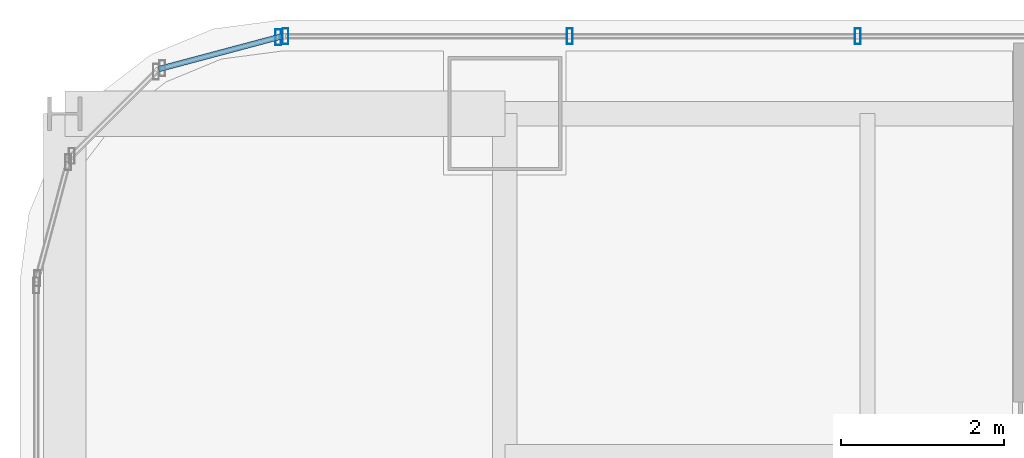
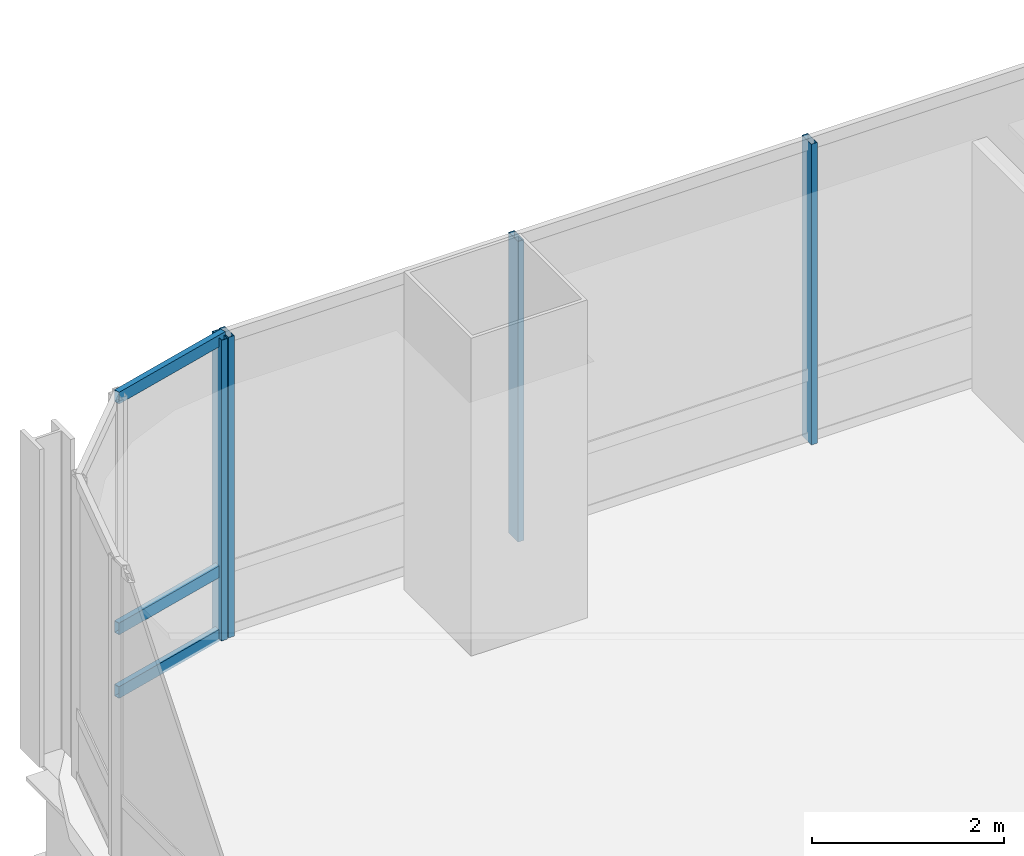
# One storey, part 20 of 37: 7 members, 2 elements without a shape of their own.
"""IFC4 building model written with IfcOpenShell, lengths in metres."""

import ifcopenshell
import ifcopenshell.guid

model = None  # the IFC model being written
_history = None  # IfcOwnerHistory: only IFC2X3 demands one
_inside = {}  # id of a spatial element -> (the spatial element, [elements in it])
_under = {}  # id of a project, library or spatial element -> (it, [spatial elements below it])
_declared = {}  # id of a project -> (the project, [libraries it declares])
_typed = {}  # id of a type object -> (the type object, [elements of that type])
_made_of = {}  # id of a material, layer set ... -> (it, [elements and type objects made of it])


def new_model(schema):
    """Start an empty IFC model of exactly this schema.

    Asked for "IFC4X3", IfcOpenShell would pick the latest addendum, in which some entities
    have other attributes; the version numbers below select the first issue.
    IFC2X3 requires an IfcOwnerHistory on every rooted entity: one is made here for all.
    """
    global model, _history
    if schema == "IFC4X3":
        model = ifcopenshell.file(schema_version=(4, 3, 0, 0))
    else:
        model = ifcopenshell.file(schema=schema)
    _inside.clear()
    _under.clear()
    _declared.clear()
    _typed.clear()
    _made_of.clear()
    _history = None
    if model.schema == "IFC2X3":
        org = make("IfcOrganization", Name="unknown")
        user = make(
            "IfcPersonAndOrganization",
            ThePerson=make("IfcPerson", FamilyName="unknown"),
            TheOrganization=org,
        )
        app = make(
            "IfcApplication",
            ApplicationDeveloper=org,
            Version="unknown",
            ApplicationFullName="unknown",
            ApplicationIdentifier="unknown",
        )
        _history = make(
            "IfcOwnerHistory",
            OwningUser=user,
            OwningApplication=app,
            ChangeAction="ADDED",
            CreationDate=0,
        )
    return model


def make(cls, **values):
    """One entity of the class cls with the attributes given. An attribute that is None is left unset."""
    return model.create_entity(
        cls, **{name: value for name, value in values.items() if value is not None}
    )


def rooted(cls, **values):
    """An entity with a GlobalId (a new one), such as an element, a storey or a relation."""
    return make(cls, GlobalId=ifcopenshell.guid.new(), OwnerHistory=_history, **values)


def si_unit(unit_type, name, prefix=None):
    """IfcSIUnit, for example si_unit("LENGTHUNIT", "METRE", prefix="MILLI")."""
    return make("IfcSIUnit", UnitType=unit_type, Prefix=prefix, Name=name)


def assignment(units):
    """IfcUnitAssignment: the units of a project."""
    return None if units is None else make("IfcUnitAssignment", Units=units)


def point(xyz):
    """IfcCartesianPoint."""
    return None if xyz is None else make("IfcCartesianPoint", Coordinates=xyz)


def direction(xyz):
    """IfcDirection."""
    return None if xyz is None else make("IfcDirection", DirectionRatios=xyz)


def frame(location, z_axis=None, x_axis=None):
    """IfcAxis2Placement3D, a coordinate frame: its origin and axes. An axis left out is left unset."""
    return make(
        "IfcAxis2Placement3D",
        Location=point(location),
        Axis=direction(z_axis),
        RefDirection=direction(x_axis),
    )


def frame_2d(location, x_axis=None):
    """IfcAxis2Placement2D, a coordinate frame in the plane: its origin and x axis."""
    return make(
        "IfcAxis2Placement2D", Location=point(location), RefDirection=direction(x_axis)
    )


def origin():
    """The frame at (0, 0, 0) with its axes left unset."""
    return frame((0.0, 0.0, 0.0))


def origin_2d():
    """The frame at (0, 0) in the plane with its x axis left unset."""
    return frame_2d((0.0, 0.0))


def place(relative_to, where):
    """IfcLocalPlacement: puts the frame where relative to a parent placement (None: the world)."""
    return make(
        "IfcLocalPlacement", PlacementRelTo=relative_to, RelativePlacement=where
    )


def context(
    kind, dimensions, precision=None, world=None, true_north=None, identifier=None
):
    """IfcGeometricRepresentationContext, for example the 3D "Model" context."""
    return make(
        "IfcGeometricRepresentationContext",
        ContextIdentifier=identifier,
        ContextType=kind,
        CoordinateSpaceDimension=dimensions,
        Precision=precision,
        WorldCoordinateSystem=world,
        TrueNorth=true_north,
    )


def subcontext(parent, identifier, kind, view, scale=None):
    """IfcGeometricRepresentationSubContext, for example "Body" below "Model"."""
    return make(
        "IfcGeometricRepresentationSubContext",
        ContextIdentifier=identifier,
        ContextType=kind,
        ParentContext=parent,
        TargetScale=scale,
        TargetView=view,
    )


def project(units=None, contexts=None):
    """IfcProject with its units and contexts."""
    return rooted(
        "IfcProject",
        Name="project",
        RepresentationContexts=contexts,
        UnitsInContext=assignment(units),
    )


def spatial(cls, under=None, at=None, **own):
    """A site, building, storey or space (cls), placed at a placement, below another one or the project."""
    s = rooted(cls, ObjectPlacement=at, **own)
    if under is not None:
        _under.setdefault(under.id(), (under, []))[1].append(s)
    return s


def profile(cls, at=None, kind="AREA", **sizes):
    """A parametric profile (cls). Its sizes go by their IFC names, for example OverallWidth=200.0."""
    return make(cls, ProfileType=kind, Position=at, **sizes)


def hollow_rectangle(**sizes):
    """IfcRectangleHollowProfileDef."""
    return profile("IfcRectangleHollowProfileDef", **sizes)


def extrude(swept, where, along, depth):
    """IfcExtrudedAreaSolid: the profile swept, set in the frame where, extruded along a direction by depth."""
    return make(
        "IfcExtrudedAreaSolid",
        SweptArea=swept,
        Position=where,
        ExtrudedDirection=direction(along),
        Depth=depth,
    )


def shape(context_of_items, identifier, shape_type, items):
    """IfcShapeRepresentation: the items that make up one representation, for example the "Body"."""
    return make(
        "IfcShapeRepresentation",
        ContextOfItems=context_of_items,
        RepresentationIdentifier=identifier,
        RepresentationType=shape_type,
        Items=items,
    )


def material(Name=None, Category=None):
    """IfcMaterial."""
    return make("IfcMaterial", Name=Name, Category=Category)


def material_profile(
    of_material, cross_section, Name=None, Category=None, Priority=None
):
    """IfcMaterialProfile: a cross section and its material."""
    return make(
        "IfcMaterialProfile",
        Name=Name,
        Material=of_material,
        Profile=cross_section,
        Priority=Priority,
        Category=Category,
    )


def profile_set(profiles, Name=None, composite=None):
    """IfcMaterialProfileSet."""
    return make(
        "IfcMaterialProfileSet",
        Name=Name,
        MaterialProfiles=profiles,
        CompositeProfile=composite,
    )


def made_of(thing, what):
    """Note that an element or type object is made of a material, layer set ...; save() writes the relation."""
    if what is not None:
        _made_of.setdefault(what.id(), (what, []))[1].append(thing)
    return thing


def type_object(cls, material=None, **own):
    """A type object (cls), such as IfcWallType, which elements share."""
    return made_of(rooted(cls, **own), material)


def element(
    cls,
    number,
    at=None,
    inside=None,
    cuts=None,
    type_object=None,
    material=None,
    context=None,
    identifier="Body",
    shape_type=None,
    held_by="IfcProductDefinitionShape",
    body=None,
    shapes=None,
    **own,
):
    """One element of the class cls, such as IfcWall. Its Tag is "e" and its number.

    at: its placement. inside: the storey or other place that contains it. cuts: it is an
    opening in that element (IfcRelVoidsElement). A single representation is given by context,
    identifier, shape_type and body (its items); several are given by shapes. held_by: the class
    of the entity that holds the representations. save() writes the other relations.
    """
    e = rooted(cls, Tag="e%d" % number, ObjectPlacement=at, **own)
    if body is not None:
        shapes = [shape(context, identifier, shape_type, body)]
    if shapes is not None:
        e.Representation = make(held_by, Representations=shapes)
    if inside is not None:
        _inside.setdefault(inside.id(), (inside, []))[1].append(e)
    if cuts is not None:
        rooted(
            "IfcRelVoidsElement", RelatingBuildingElement=cuts, RelatedOpeningElement=e
        )
    if type_object is not None:
        _typed.setdefault(type_object.id(), (type_object, []))[1].append(e)
    return made_of(e, material)


def aggregate(whole, parts):
    """IfcRelAggregates: a whole, such as a stair, and the parts it consists of."""
    return rooted("IfcRelAggregates", RelatingObject=whole, RelatedObjects=parts)


def save(model, path):
    """Write the relations noted so far, then the file.

    IfcRelAggregates (storeys below a building ...), IfcRelContainedInSpatialStructure (elements
    in a storey), IfcRelDefinesByType, IfcRelAssociatesMaterial and IfcRelDeclares: one each for
    every whole, place, type object, material and project.
    """
    for whole, parts in _under.values():
        aggregate(whole, parts)
    for where, things in _inside.values():
        rooted(
            "IfcRelContainedInSpatialStructure",
            RelatedElements=things,
            RelatingStructure=where,
        )
    for kind, things in _typed.values():
        rooted("IfcRelDefinesByType", RelatedObjects=things, RelatingType=kind)
    for what, things in _made_of.values():
        rooted("IfcRelAssociatesMaterial", RelatedObjects=things, RelatingMaterial=what)
    for by, libraries in _declared.values():
        rooted("IfcRelDeclares", RelatingContext=by, RelatedDefinitions=libraries)
    model.write(path)


model = new_model("IFC4")

# Units and contexts
model_context = context("Model", 3, precision=1e-05, world=origin(), true_north=direction((0.0, 1.0)))
body_context = subcontext(model_context, "Body", "Model", "MODEL_VIEW")
ifc_project = project(units=[si_unit("LENGTHUNIT", "METRE"), si_unit("AREAUNIT", "SQUARE_METRE"), si_unit("VOLUMEUNIT", "CUBIC_METRE"), si_unit("PLANEANGLEUNIT", "RADIAN"), si_unit("MASSUNIT", "GRAM", prefix="KILO")], contexts=[model_context])

# Site, building, storey
site_placement = place(None, origin())
site = spatial("IfcSite", under=ifc_project, at=site_placement, CompositionType="ELEMENT")
building_placement = place(site_placement, origin())
building = spatial("IfcBuilding", under=site, at=building_placement, Name="Punatoya Terracotta Tower", CompositionType="ELEMENT")
storey_placement = place(building_placement, frame((0.0, 0.0, 192.449951171875)))
storey = spatial("IfcBuildingStorey", under=building, at=storey_placement, Name="L45", CompositionType="ELEMENT", Elevation=192.449951171875)

# Curtain wall, members
ifc_material_1 = material(Name="Aluminium 6063-T6 + Double Low-E Glass", Category="aluminium")
curtain_wall_type = type_object("IfcCurtainWallType", Name="CW-M2", PredefinedType="NOTDEFINED", material=ifc_material_1)
curtain_wall_1_placement = place(storey_placement, origin())
curtain_wall_1 = element("IfcCurtainWall", 1, at=curtain_wall_1_placement, inside=storey, type_object=curtain_wall_type, Name="L45 Curtain Wall CW-L45-N09-1", PredefinedType="NOTDEFINED")
ifc_material_2 = material(Name="Aluminium 6063-T6", Category="aluminium")
ifc_material_profile_1 = material_profile(ifc_material_2, hollow_rectangle(XDim=0.072021484375, YDim=0.195068359375, WallThickness=0.00439453125, at=origin_2d()))
ifc_profile_set_1 = profile_set([ifc_material_profile_1], Name="Aluminium 6063-T6")
member_type_1 = type_object("IfcMemberType", Name="CW-MUL-M2", PredefinedType="MULLION", material=ifc_profile_set_1)
member_1_placement = place(storey_placement, frame((-14.768798828125, 18.449951171875, 0.0), z_axis=(0.0, 0.0, 1.0), x_axis=(1.0, 0.0, 0.0)))
member_1 = element("IfcMember", 2, at=member_1_placement, type_object=member_type_1, Name="CW-L45-N09-1 Mullion 09", PredefinedType="MULLION", context=body_context, shape_type="SweptSolid", body=[
    extrude(hollow_rectangle(XDim=0.072021484375, YDim=0.195068359375, WallThickness=0.00439453125, at=origin_2d()), origin(), (0.0, 0.0, 1.0), 3.830078125),
])
member_2_placement = place(storey_placement, frame((-18.302978515625, 18.449951171875, 0.0), z_axis=(0.0, 0.0, 1.0), x_axis=(1.0, 0.0, 0.0)))
member_2 = element("IfcMember", 3, at=member_2_placement, type_object=member_type_1, Name="CW-L45-N09-1 Mullion 10", PredefinedType="MULLION", context=body_context, shape_type="SweptSolid", body=[
    extrude(hollow_rectangle(XDim=0.072021484375, YDim=0.195068359375, WallThickness=0.00439453125, at=origin_2d()), origin(), (0.0, 0.0, 1.0), 3.830078125),
])
member_3_placement = place(storey_placement, frame((-21.7919921875, 18.449951171875, 0.0), z_axis=(0.0, 0.0, 1.0), x_axis=(1.0, 0.0, 0.0)))
member_3 = element("IfcMember", 4, at=member_3_placement, type_object=member_type_1, Name="CW-L45-N09-1 Mullion 11", PredefinedType="MULLION", context=body_context, shape_type="SweptSolid", body=[
    extrude(hollow_rectangle(XDim=0.072021484375, YDim=0.195068359375, WallThickness=0.00439453125, at=origin_2d()), origin(), (0.0, 0.0, 1.0), 3.830078125),
])
aggregate(curtain_wall_1, [member_1, member_2, member_3])

curtain_wall_2_placement = place(storey_placement, origin())
curtain_wall_2 = element("IfcCurtainWall", 5, at=curtain_wall_2_placement, inside=storey, type_object=curtain_wall_type, Name="L45 Curtain Wall CW-L45-CRN10", PredefinedType="NOTDEFINED")
member_4_placement = place(storey_placement, frame((-21.88037109375, 18.4384765625, 0.0), z_axis=(0.0, 0.0, 1.0), x_axis=(1.0, 0.0, 0.0)))
member_4 = element("IfcMember", 6, at=member_4_placement, type_object=member_type_1, Name="CW-L45-CRN10 Mullion 00", PredefinedType="MULLION", context=body_context, shape_type="SweptSolid", body=[
    extrude(hollow_rectangle(XDim=0.072021484375, YDim=0.195068359375, WallThickness=0.00439453125, at=origin_2d()), origin(), (0.0, 0.0, 1.0), 3.830078125),
])
ifc_material_profile_2 = material_profile(ifc_material_2, hollow_rectangle(XDim=0.068115234375, YDim=0.14990234375, WallThickness=0.00390625, at=origin_2d()))
ifc_profile_set_2 = profile_set([ifc_material_profile_2], Name="Aluminium 6063-T6")
member_type_2 = type_object("IfcMemberType", Name="CW-TRN-TYP", PredefinedType="USERDEFINED", material=ifc_profile_set_2)
member_5_placement = place(storey_placement, frame((-21.8369140625, 18.449951171875, 0.0400390625), z_axis=(-0.966224582397, -0.257701486942, 0.0), x_axis=(0.257701486942, -0.966224582397, 0.0)))
member_5 = element("IfcMember", 7, at=member_5_placement, type_object=member_type_2, Name="CW-L45-CRN10 Transom 1", ObjectType="TRANSOM", PredefinedType="USERDEFINED", context=body_context, shape_type="SweptSolid", body=[
    extrude(hollow_rectangle(XDim=0.068115234375, YDim=0.14990234375, WallThickness=0.00390625, at=origin_2d()), origin(), (0.0, 0.0, 1.0), 1.565185546875),
])
member_6_placement = place(storey_placement, frame((-21.8369140625, 18.449951171875, 0.85009765625), z_axis=(-0.966224582397, -0.257701486942, 0.0), x_axis=(0.257701486942, -0.966224582397, 0.0)))
member_6 = element("IfcMember", 8, at=member_6_placement, type_object=member_type_2, Name="CW-L45-CRN10 Transom 2", ObjectType="TRANSOM", PredefinedType="USERDEFINED", context=body_context, shape_type="SweptSolid", body=[
    extrude(hollow_rectangle(XDim=0.068115234375, YDim=0.14990234375, WallThickness=0.00390625, at=origin_2d()), origin(), (0.0, 0.0, 1.0), 1.565185546875),
])
member_7_placement = place(storey_placement, frame((-21.8369140625, 18.449951171875, 3.7900390625), z_axis=(-0.966224582397, -0.257701486942, 0.0), x_axis=(0.257701486942, -0.966224582397, 0.0)))
member_7 = element("IfcMember", 9, at=member_7_placement, type_object=member_type_2, Name="CW-L45-CRN10 Transom 3", ObjectType="TRANSOM", PredefinedType="USERDEFINED", context=body_context, shape_type="SweptSolid", body=[
    extrude(hollow_rectangle(XDim=0.068115234375, YDim=0.14990234375, WallThickness=0.00390625, at=origin_2d()), origin(), (0.0, 0.0, 1.0), 1.565185546875),
])
aggregate(curtain_wall_2, [member_4, member_5, member_6, member_7])

save(model, "model.ifc")
